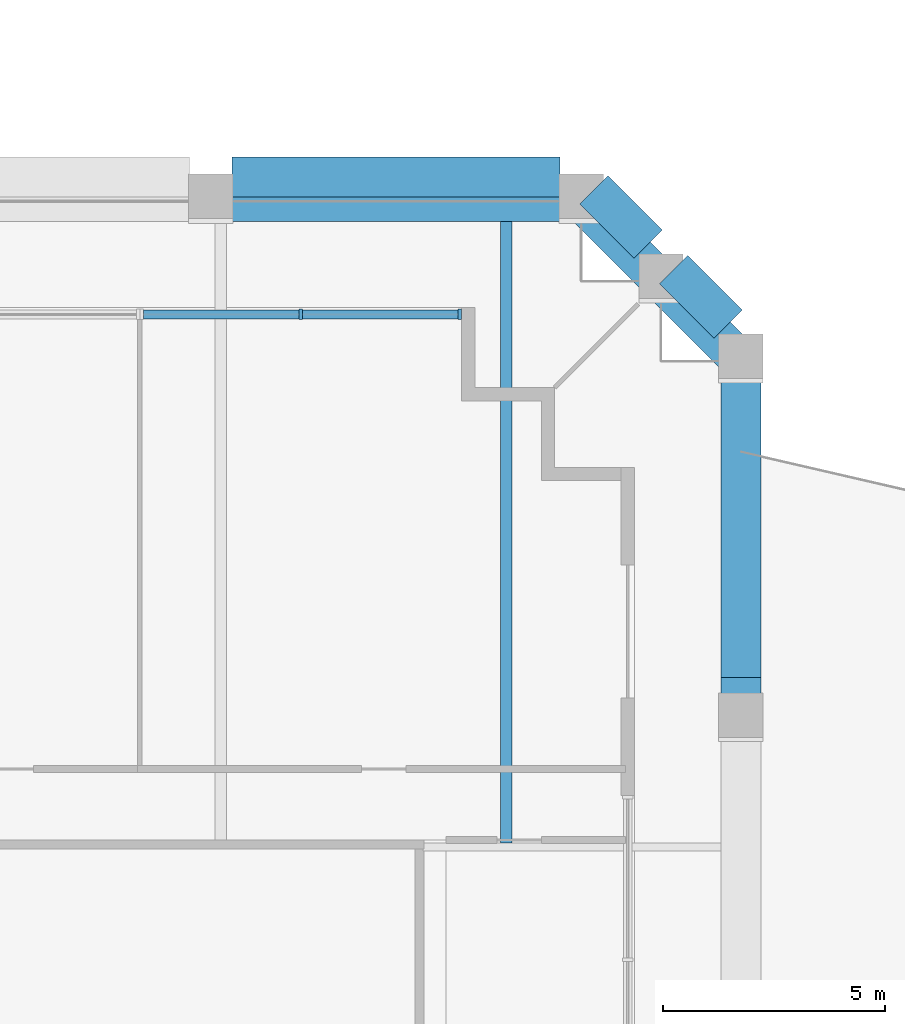
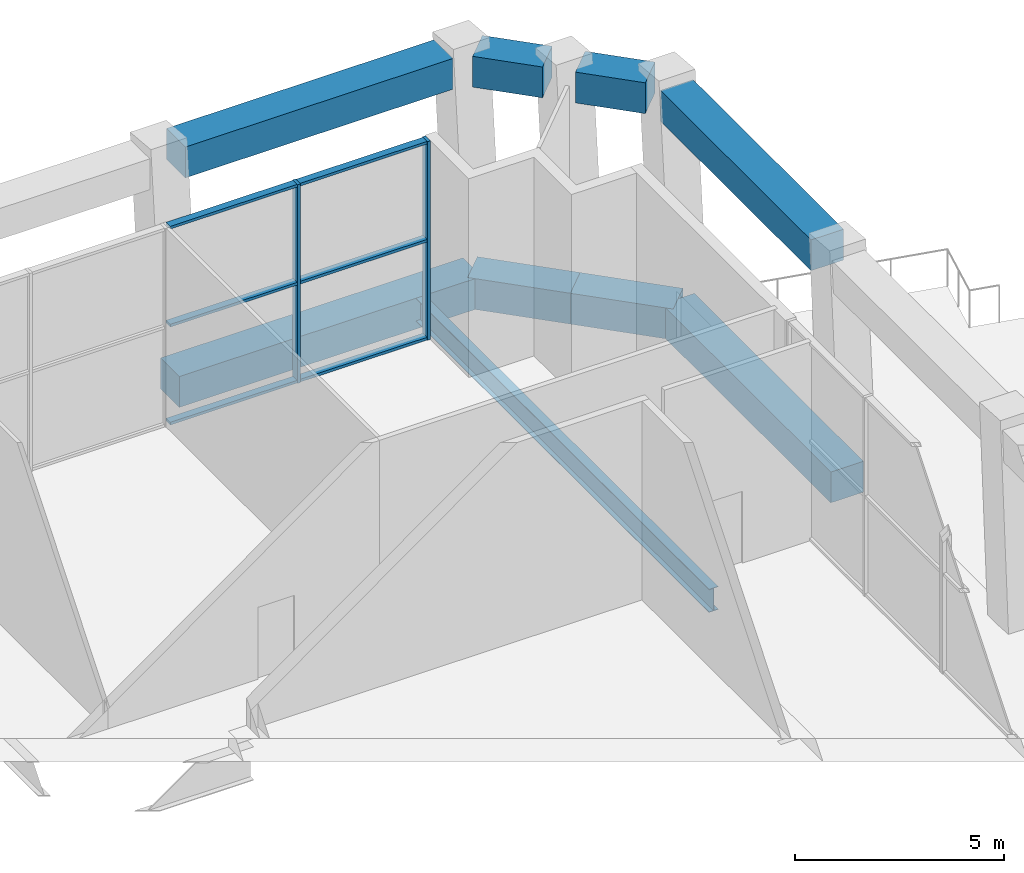
# One storey, part 8 of 20: 9 beams, 8 members, 1 element without a shape of its own.
"""IFC4 building model written with IfcOpenShell, lengths in metres."""

from ifc_helpers import new_model, si_unit, direction, frame, origin, origin_2d, place, context, subcontext, project, spatial, rectangle, i_section, extrude, material, material_profile, profile_set, type_object, element, aggregate, save


model = new_model("IFC4")

# Units and contexts
model_context = context("Model", 3, precision=1e-05, world=origin(), true_north=direction((0.0, 1.0)))
body_context = subcontext(model_context, "Body", "Model", "MODEL_VIEW")
ifc_project = project(units=[si_unit("LENGTHUNIT", "METRE"), si_unit("AREAUNIT", "SQUARE_METRE"), si_unit("VOLUMEUNIT", "CUBIC_METRE"), si_unit("PLANEANGLEUNIT", "RADIAN"), si_unit("MASSUNIT", "GRAM", prefix="KILO")], contexts=[model_context])

# Site, building, storey
site_placement = place(None, origin())
site = spatial("IfcSite", under=ifc_project, at=site_placement, CompositionType="ELEMENT")
building_placement = place(site_placement, origin())
building = spatial("IfcBuilding", under=site, at=building_placement, Name="Ogive Exchange Tower", CompositionType="ELEMENT")
storey_placement = place(building_placement, frame((0.0, 0.0, 303.0)))
storey = spatial("IfcBuildingStorey", under=building, at=storey_placement, Name="L66", CompositionType="ELEMENT", Elevation=303.0)

# Beams
ifc_material_1 = material(Name="Steel ASTM A992 Gr50", Category="steel")
ifc_material_profile_1 = material_profile(ifc_material_1, i_section(OverallWidth=0.25390625, OverallDepth=0.677978515625, WebThickness=0.01171875, FlangeThickness=0.016357421875, at=origin_2d()), Name="W690x125")
ifc_profile_set_1 = profile_set([ifc_material_profile_1], Name="Steel ASTM A992 Gr50")
beam_type_1 = type_object("IfcBeamType", Name="Floor beam W690x125", PredefinedType="JOIST", material=ifc_profile_set_1)
beam_1_placement = place(storey_placement, frame((23.360107421875, 40.93408203125, -0.7890625), z_axis=(0.0, 1.0, 0.0), x_axis=(-1.0, 0.0, 0.0)))
element("IfcBeam", 1, at=beam_1_placement, inside=storey, type_object=beam_type_1, Name="Floor beam", PredefinedType="JOIST", context=body_context, shape_type="SweptSolid", body=[
    extrude(i_section(OverallWidth=0.25390625, OverallDepth=0.677978515625, WebThickness=0.01171875, FlangeThickness=0.016357421875, at=origin_2d()), origin(), (0.0, 0.0, 1.0), 14.015869140625),
])
ifc_material_2 = material(Name="Precast concrete C70/85 (limestone faced)", Category="masonry")
ifc_material_profile_2 = material_profile(ifc_material_2, rectangle(XDim=0.89990234375, YDim=0.89990234375, at=origin_2d()), Name="900 x 900")
ifc_profile_set_2 = profile_set([ifc_material_profile_2], Name="Precast concrete C70/85 (limestone faced)")
beam_type_2 = type_object("IfcBeamType", Name="Precast spandrel 900 x 900 C70/85", PredefinedType="SPANDREL", material=ifc_profile_set_2)
beam_2_placement = place(storey_placement, frame((28.64990234375, 44.661865234375, 5.300048828125), z_axis=(0.0, 1.0, 0.0), x_axis=(-1.0, 0.0, 0.0)))
element("IfcBeam", 2, at=beam_2_placement, inside=storey, type_object=beam_type_2, Name="Spandrel 15", PredefinedType="SPANDREL", context=body_context, shape_type="SweptSolid", body=[
    extrude(rectangle(XDim=0.89990234375, YDim=0.89990234375, at=origin_2d()), origin(), (0.0, 0.0, 1.0), 7.20361328125),
])
for number, where, z_axis, x_axis, name in (
    (3, (28.362060546875, 52.63330078125, 5.300048828125), (-0.707036271462, 0.707177283881, 0.0), (-0.707177283881, -0.707036271462, 0.0), "Spandrel 16"),
    (4, (26.56201171875, 54.433349609375, 5.300048828125), (-0.707036271462, 0.707177283881, 0.0), (-0.707177283881, -0.707036271462, 0.0), "Spandrel 17"),
):
    element("IfcBeam", number, at=place(storey_placement, frame(where, z_axis=z_axis, x_axis=x_axis)), inside=storey, type_object=beam_type_2, Name=name, PredefinedType="SPANDREL", context=body_context, shape_type="SweptSolid", body=[
        extrude(rectangle(XDim=0.89990234375, YDim=0.89990234375, at=origin_2d()), origin(), (0.0, 0.0, 1.0), 1.7314453125),
    ])
beam_3_placement = place(storey_placement, frame((24.570068359375, 55.945556640625, 5.300048828125), z_axis=(-1.0, 0.0, 0.0), x_axis=(0.0, -1.0, 0.0)))
element("IfcBeam", 5, at=beam_3_placement, inside=storey, type_object=beam_type_2, Name="Spandrel 18", PredefinedType="SPANDREL", context=body_context, shape_type="SweptSolid", body=[
    extrude(rectangle(XDim=0.89990234375, YDim=0.89990234375, at=origin_2d()), origin(), (0.0, 0.0, 1.0), 7.39013671875),
])
ifc_material_profile_3 = material_profile(ifc_material_2, rectangle(XDim=0.89990234375, YDim=0.89990234375, at=origin_2d()), Name="900 x 900")
ifc_profile_set_3 = profile_set([ifc_material_profile_3], Name="Precast concrete C70/85 (limestone faced)")
beam_type_3 = type_object("IfcBeamType", Name="Precast transfer girder 900 x 900 C70/85", PredefinedType="BEAM", material=ifc_profile_set_3)
beam_4_placement = place(storey_placement, frame((28.64990234375, 43.71435546875, -0.89990234375), z_axis=(0.0, 1.0, 0.0), x_axis=(-1.0, 0.0, 0.0)))
element("IfcBeam", 6, at=beam_4_placement, inside=storey, type_object=beam_type_3, Name="Transfer girder 15", PredefinedType="BEAM", context=body_context, shape_type="SweptSolid", body=[
    extrude(rectangle(XDim=0.89990234375, YDim=0.89990234375, at=origin_2d()), origin(), (0.0, 0.0, 1.0), 8.085693359375),
])
for number, where, z_axis, x_axis, name in (
    (7, (28.64990234375, 51.800048828125, -0.89990234375), (-0.707058823862, 0.707154735259, 0.0), (-0.707154735259, -0.707058823862, 0.0), "Transfer girder 16"),
    (8, (26.85009765625, 53.60009765625, -0.89990234375), (-0.707154735259, 0.707058823862, 0.0), (-0.707058823862, -0.707154735259, 0.0), "Transfer girder 17"),
):
    element("IfcBeam", number, at=place(storey_placement, frame(where, z_axis=z_axis, x_axis=x_axis)), inside=storey, type_object=beam_type_3, Name=name, PredefinedType="BEAM", context=body_context, shape_type="SweptSolid", body=[
        extrude(rectangle(XDim=0.89990234375, YDim=0.89990234375, at=origin_2d()), origin(), (0.0, 0.0, 1.0), 2.54541015625),
    ])
beam_5_placement = place(storey_placement, frame((25.050048828125, 55.39990234375, -0.89990234375), z_axis=(-1.0, 0.0, 0.0), x_axis=(0.0, -1.0, 0.0)))
element("IfcBeam", 9, at=beam_5_placement, inside=storey, type_object=beam_type_3, Name="Transfer girder 18", PredefinedType="BEAM", context=body_context, shape_type="SweptSolid", body=[
    extrude(rectangle(XDim=0.89990234375, YDim=0.89990234375, at=origin_2d()), origin(), (0.0, 0.0, 1.0), 8.35009765625),
])

# Curtain wall, members
ifc_material_3 = material(Name="Anodised aluminium and clear glass", Category="aluminium")
curtain_wall_type = type_object("IfcCurtainWallType", Name="Winter garden glazing", PredefinedType="NOTDEFINED", material=ifc_material_3)
curtain_wall_placement = place(storey_placement, origin())
curtain_wall = element("IfcCurtainWall", 10, at=curtain_wall_placement, inside=storey, type_object=curtain_wall_type, Name="Winter garden glazing run G14", PredefinedType="NOTDEFINED")
ifc_material_4 = material(Name="Anodised aluminium", Category="aluminium")
ifc_material_profile_4 = material_profile(ifc_material_4, rectangle(XDim=0.239990234375, YDim=0.080078125, at=origin_2d()), Name="AL 80x240")
ifc_profile_set_4 = profile_set([ifc_material_profile_4], Name="Anodised aluminium")
member_type_1 = type_object("IfcMemberType", Name="Winter garden glazing mullion 80 x 240", PredefinedType="MULLION", material=ifc_profile_set_4)
member_1_placement = place(storey_placement, frame((22.31005859375, 52.85009765625, 0.0), z_axis=(0.0, 0.0, 1.0), x_axis=(0.0, -1.0, 0.0)))
member_1 = element("IfcMember", 11, at=member_1_placement, type_object=member_type_1, Name="G14 mullion 1", PredefinedType="MULLION", context=body_context, shape_type="SweptSolid", body=[
    extrude(rectangle(XDim=0.239990234375, YDim=0.080078125, at=origin_2d()), origin(), (0.0, 0.0, 1.0), 5.800048828125),
])
member_2_placement = place(storey_placement, frame((18.72509765625, 52.85009765625, 0.0), z_axis=(0.0, 0.0, 1.0), x_axis=(0.0, -1.0, 0.0)))
member_2 = element("IfcMember", 12, at=member_2_placement, type_object=member_type_1, Name="G14 mullion 2", PredefinedType="MULLION", context=body_context, shape_type="SweptSolid", body=[
    extrude(rectangle(XDim=0.239990234375, YDim=0.080078125, at=origin_2d()), origin(), (0.0, 0.0, 1.0), 5.800048828125),
])
ifc_material_profile_5 = material_profile(ifc_material_4, rectangle(XDim=0.199951171875, YDim=0.080078125, at=origin_2d()), Name="AL 80x200")
ifc_profile_set_5 = profile_set([ifc_material_profile_5], Name="Anodised aluminium")
member_type_2 = type_object("IfcMemberType", Name="Winter garden glazing transom 80 x 200", PredefinedType="USERDEFINED", material=ifc_profile_set_5)
member_3_placement = place(storey_placement, frame((22.27001953125, 52.85009765625, 0.0400390625), z_axis=(-1.0, 0.0, 0.0), x_axis=(0.0, -1.0, 0.0)))
member_3 = element("IfcMember", 13, at=member_3_placement, type_object=member_type_2, Name="G14 transom 1.1", ObjectType="TRANSOM", PredefinedType="USERDEFINED", context=body_context, shape_type="SweptSolid", body=[
    extrude(rectangle(XDim=0.199951171875, YDim=0.080078125, at=origin_2d()), origin(), (0.0, 0.0, 1.0), 3.505126953125),
])
member_4_placement = place(storey_placement, frame((22.27001953125, 52.85009765625, 2.89990234375), z_axis=(-1.0, 0.0, 0.0), x_axis=(0.0, -1.0, 0.0)))
member_4 = element("IfcMember", 14, at=member_4_placement, type_object=member_type_2, Name="G14 transom 1.2", ObjectType="TRANSOM", PredefinedType="USERDEFINED", context=body_context, shape_type="SweptSolid", body=[
    extrude(rectangle(XDim=0.199951171875, YDim=0.080078125, at=origin_2d()), origin(), (0.0, 0.0, 1.0), 3.505126953125),
])
member_5_placement = place(storey_placement, frame((22.27001953125, 52.85009765625, 5.760009765625), z_axis=(-1.0, 0.0, 0.0), x_axis=(0.0, -1.0, 0.0)))
member_5 = element("IfcMember", 15, at=member_5_placement, type_object=member_type_2, Name="G14 transom 1.3", ObjectType="TRANSOM", PredefinedType="USERDEFINED", context=body_context, shape_type="SweptSolid", body=[
    extrude(rectangle(XDim=0.199951171875, YDim=0.080078125, at=origin_2d()), origin(), (0.0, 0.0, 1.0), 3.505126953125),
])
member_6_placement = place(storey_placement, frame((18.68505859375, 52.85009765625, 0.0400390625), z_axis=(-1.0, 0.0, 0.0), x_axis=(0.0, -1.0, 0.0)))
member_6 = element("IfcMember", 16, at=member_6_placement, type_object=member_type_2, Name="G14 transom 2.1", ObjectType="TRANSOM", PredefinedType="USERDEFINED", context=body_context, shape_type="SweptSolid", body=[
    extrude(rectangle(XDim=0.199951171875, YDim=0.080078125, at=origin_2d()), origin(), (0.0, 0.0, 1.0), 3.505126953125),
])
member_7_placement = place(storey_placement, frame((18.68505859375, 52.85009765625, 2.89990234375), z_axis=(-1.0, 0.0, 0.0), x_axis=(0.0, -1.0, 0.0)))
member_7 = element("IfcMember", 17, at=member_7_placement, type_object=member_type_2, Name="G14 transom 2.2", ObjectType="TRANSOM", PredefinedType="USERDEFINED", context=body_context, shape_type="SweptSolid", body=[
    extrude(rectangle(XDim=0.199951171875, YDim=0.080078125, at=origin_2d()), origin(), (0.0, 0.0, 1.0), 3.505126953125),
])
member_8_placement = place(storey_placement, frame((18.68505859375, 52.85009765625, 5.760009765625), z_axis=(-1.0, 0.0, 0.0), x_axis=(0.0, -1.0, 0.0)))
member_8 = element("IfcMember", 18, at=member_8_placement, type_object=member_type_2, Name="G14 transom 2.3", ObjectType="TRANSOM", PredefinedType="USERDEFINED", context=body_context, shape_type="SweptSolid", body=[
    extrude(rectangle(XDim=0.199951171875, YDim=0.080078125, at=origin_2d()), origin(), (0.0, 0.0, 1.0), 3.505126953125),
])
aggregate(curtain_wall, [member_1, member_2, member_3, member_4, member_5, member_6, member_7, member_8])

save(model, "model.ifc")
